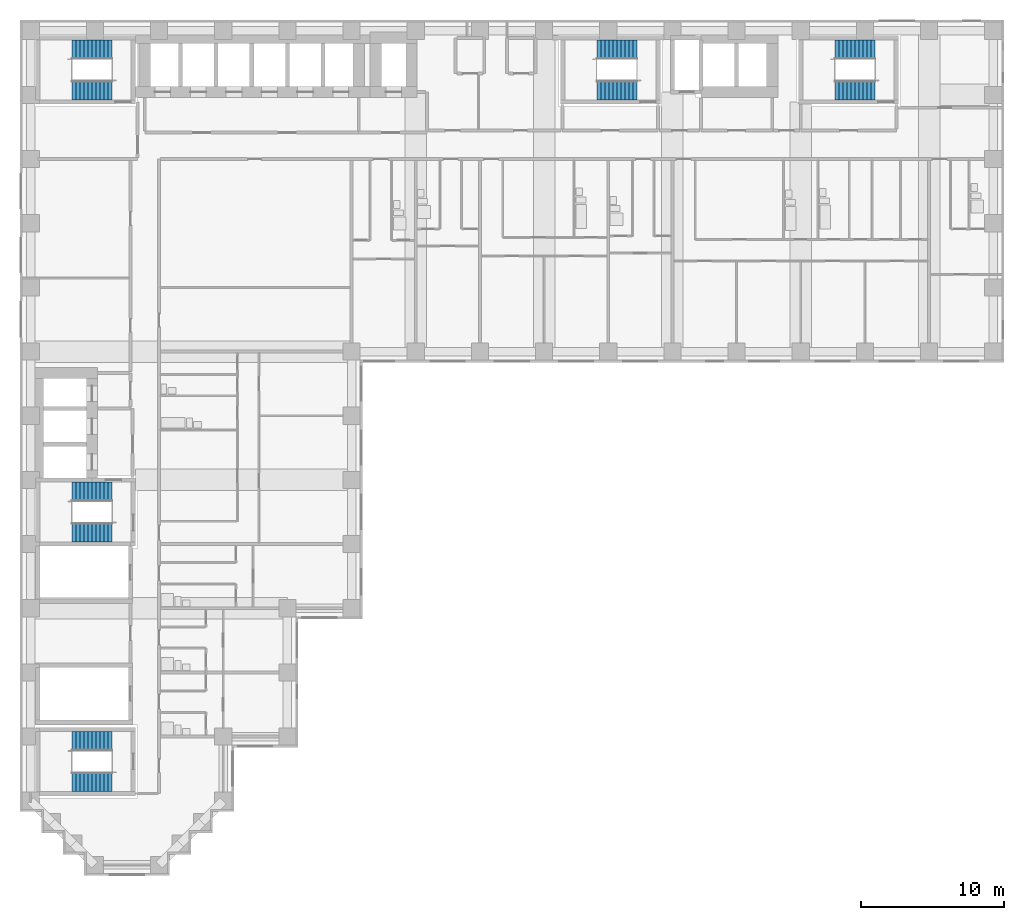
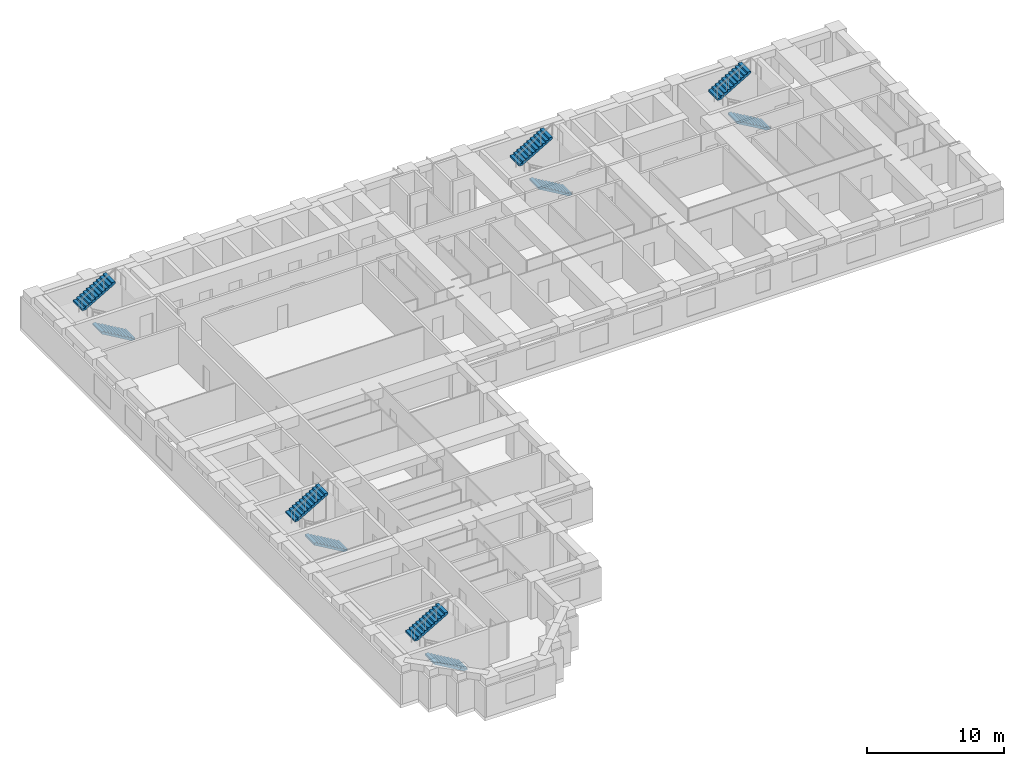
# One storey, part 10 of 12: 10 stair flights, 5 elements without a shape of their own.
"""IFC4 building model written with IfcOpenShell, lengths in metres."""

import ifcopenshell
import ifcopenshell.guid

model = None  # the IFC model being written
_history = None  # IfcOwnerHistory: only IFC2X3 demands one
_inside = {}  # id of a spatial element -> (the spatial element, [elements in it])
_under = {}  # id of a project, library or spatial element -> (it, [spatial elements below it])
_declared = {}  # id of a project -> (the project, [libraries it declares])
_typed = {}  # id of a type object -> (the type object, [elements of that type])
_made_of = {}  # id of a material, layer set ... -> (it, [elements and type objects made of it])


def new_model(schema):
    """Start an empty IFC model of exactly this schema.

    Asked for "IFC4X3", IfcOpenShell would pick the latest addendum, in which some entities
    have other attributes; the version numbers below select the first issue.
    IFC2X3 requires an IfcOwnerHistory on every rooted entity: one is made here for all.
    """
    global model, _history
    if schema == "IFC4X3":
        model = ifcopenshell.file(schema_version=(4, 3, 0, 0))
    else:
        model = ifcopenshell.file(schema=schema)
    _inside.clear()
    _under.clear()
    _declared.clear()
    _typed.clear()
    _made_of.clear()
    _history = None
    if model.schema == "IFC2X3":
        org = make("IfcOrganization", Name="unknown")
        user = make(
            "IfcPersonAndOrganization",
            ThePerson=make("IfcPerson", FamilyName="unknown"),
            TheOrganization=org,
        )
        app = make(
            "IfcApplication",
            ApplicationDeveloper=org,
            Version="unknown",
            ApplicationFullName="unknown",
            ApplicationIdentifier="unknown",
        )
        _history = make(
            "IfcOwnerHistory",
            OwningUser=user,
            OwningApplication=app,
            ChangeAction="ADDED",
            CreationDate=0,
        )
    return model


def make(cls, **values):
    """One entity of the class cls with the attributes given. An attribute that is None is left unset."""
    return model.create_entity(
        cls, **{name: value for name, value in values.items() if value is not None}
    )


def rooted(cls, **values):
    """An entity with a GlobalId (a new one), such as an element, a storey or a relation."""
    return make(cls, GlobalId=ifcopenshell.guid.new(), OwnerHistory=_history, **values)


def si_unit(unit_type, name, prefix=None):
    """IfcSIUnit, for example si_unit("LENGTHUNIT", "METRE", prefix="MILLI")."""
    return make("IfcSIUnit", UnitType=unit_type, Prefix=prefix, Name=name)


def assignment(units):
    """IfcUnitAssignment: the units of a project."""
    return None if units is None else make("IfcUnitAssignment", Units=units)


def point(xyz):
    """IfcCartesianPoint."""
    return None if xyz is None else make("IfcCartesianPoint", Coordinates=xyz)


def direction(xyz):
    """IfcDirection."""
    return None if xyz is None else make("IfcDirection", DirectionRatios=xyz)


def frame(location, z_axis=None, x_axis=None):
    """IfcAxis2Placement3D, a coordinate frame: its origin and axes. An axis left out is left unset."""
    return make(
        "IfcAxis2Placement3D",
        Location=point(location),
        Axis=direction(z_axis),
        RefDirection=direction(x_axis),
    )


def origin():
    """The frame at (0, 0, 0) with its axes left unset."""
    return frame((0.0, 0.0, 0.0))


def place(relative_to, where):
    """IfcLocalPlacement: puts the frame where relative to a parent placement (None: the world)."""
    return make(
        "IfcLocalPlacement", PlacementRelTo=relative_to, RelativePlacement=where
    )


def context(
    kind, dimensions, precision=None, world=None, true_north=None, identifier=None
):
    """IfcGeometricRepresentationContext, for example the 3D "Model" context."""
    return make(
        "IfcGeometricRepresentationContext",
        ContextIdentifier=identifier,
        ContextType=kind,
        CoordinateSpaceDimension=dimensions,
        Precision=precision,
        WorldCoordinateSystem=world,
        TrueNorth=true_north,
    )


def subcontext(parent, identifier, kind, view, scale=None):
    """IfcGeometricRepresentationSubContext, for example "Body" below "Model"."""
    return make(
        "IfcGeometricRepresentationSubContext",
        ContextIdentifier=identifier,
        ContextType=kind,
        ParentContext=parent,
        TargetScale=scale,
        TargetView=view,
    )


def project(units=None, contexts=None):
    """IfcProject with its units and contexts."""
    return rooted(
        "IfcProject",
        Name="project",
        RepresentationContexts=contexts,
        UnitsInContext=assignment(units),
    )


def spatial(cls, under=None, at=None, **own):
    """A site, building, storey or space (cls), placed at a placement, below another one or the project."""
    s = rooted(cls, ObjectPlacement=at, **own)
    if under is not None:
        _under.setdefault(under.id(), (under, []))[1].append(s)
    return s


def polyline(points):
    """IfcPolyline through the points."""
    return make("IfcPolyline", Points=[point(p) for p in points])


def outline(outer, holes=None, kind="AREA"):
    """IfcArbitraryClosedProfileDef: a profile drawn as a closed curve; with holes, ...WithVoids."""
    if holes is None:
        return make("IfcArbitraryClosedProfileDef", ProfileType=kind, OuterCurve=outer)
    return make(
        "IfcArbitraryProfileDefWithVoids",
        ProfileType=kind,
        OuterCurve=outer,
        InnerCurves=holes,
    )


def extrude(swept, where, along, depth):
    """IfcExtrudedAreaSolid: the profile swept, set in the frame where, extruded along a direction by depth."""
    return make(
        "IfcExtrudedAreaSolid",
        SweptArea=swept,
        Position=where,
        ExtrudedDirection=direction(along),
        Depth=depth,
    )


def shape(context_of_items, identifier, shape_type, items):
    """IfcShapeRepresentation: the items that make up one representation, for example the "Body"."""
    return make(
        "IfcShapeRepresentation",
        ContextOfItems=context_of_items,
        RepresentationIdentifier=identifier,
        RepresentationType=shape_type,
        Items=items,
    )


def material(Name=None, Category=None):
    """IfcMaterial."""
    return make("IfcMaterial", Name=Name, Category=Category)


def made_of(thing, what):
    """Note that an element or type object is made of a material, layer set ...; save() writes the relation."""
    if what is not None:
        _made_of.setdefault(what.id(), (what, []))[1].append(thing)
    return thing


def type_object(cls, material=None, **own):
    """A type object (cls), such as IfcWallType, which elements share."""
    return made_of(rooted(cls, **own), material)


def element(
    cls,
    number,
    at=None,
    inside=None,
    cuts=None,
    type_object=None,
    material=None,
    context=None,
    identifier="Body",
    shape_type=None,
    held_by="IfcProductDefinitionShape",
    body=None,
    shapes=None,
    **own,
):
    """One element of the class cls, such as IfcWall. Its Tag is "e" and its number.

    at: its placement. inside: the storey or other place that contains it. cuts: it is an
    opening in that element (IfcRelVoidsElement). A single representation is given by context,
    identifier, shape_type and body (its items); several are given by shapes. held_by: the class
    of the entity that holds the representations. save() writes the other relations.
    """
    e = rooted(cls, Tag="e%d" % number, ObjectPlacement=at, **own)
    if body is not None:
        shapes = [shape(context, identifier, shape_type, body)]
    if shapes is not None:
        e.Representation = make(held_by, Representations=shapes)
    if inside is not None:
        _inside.setdefault(inside.id(), (inside, []))[1].append(e)
    if cuts is not None:
        rooted(
            "IfcRelVoidsElement", RelatingBuildingElement=cuts, RelatedOpeningElement=e
        )
    if type_object is not None:
        _typed.setdefault(type_object.id(), (type_object, []))[1].append(e)
    return made_of(e, material)


def aggregate(whole, parts):
    """IfcRelAggregates: a whole, such as a stair, and the parts it consists of."""
    return rooted("IfcRelAggregates", RelatingObject=whole, RelatedObjects=parts)


def save(model, path):
    """Write the relations noted so far, then the file.

    IfcRelAggregates (storeys below a building ...), IfcRelContainedInSpatialStructure (elements
    in a storey), IfcRelDefinesByType, IfcRelAssociatesMaterial and IfcRelDeclares: one each for
    every whole, place, type object, material and project.
    """
    for whole, parts in _under.values():
        aggregate(whole, parts)
    for where, things in _inside.values():
        rooted(
            "IfcRelContainedInSpatialStructure",
            RelatedElements=things,
            RelatingStructure=where,
        )
    for kind, things in _typed.values():
        rooted("IfcRelDefinesByType", RelatedObjects=things, RelatingType=kind)
    for what, things in _made_of.values():
        rooted("IfcRelAssociatesMaterial", RelatedObjects=things, RelatingMaterial=what)
    for by, libraries in _declared.values():
        rooted("IfcRelDeclares", RelatingContext=by, RelatedDefinitions=libraries)
    model.write(path)


model = new_model("IFC4")

# Units and contexts
model_context = context("Model", 3, precision=1e-05, world=origin(), true_north=direction((0.0, 1.0)))
body_context = subcontext(model_context, "Body", "Model", "MODEL_VIEW")
ifc_project = project(units=[si_unit("LENGTHUNIT", "METRE"), si_unit("AREAUNIT", "SQUARE_METRE"), si_unit("VOLUMEUNIT", "CUBIC_METRE"), si_unit("PLANEANGLEUNIT", "RADIAN"), si_unit("MASSUNIT", "GRAM", prefix="KILO")], contexts=[model_context])

# Site, building, storey
site_placement = place(None, origin())
site = spatial("IfcSite", under=ifc_project, at=site_placement, CompositionType="ELEMENT")
building_placement = place(site_placement, origin())
building = spatial("IfcBuilding", under=site, at=building_placement, Name="Firuza Court", CompositionType="ELEMENT")
storey_placement = place(building_placement, frame((0.0, 0.0, 43.39990234375)))
storey = spatial("IfcBuildingStorey", under=building, at=storey_placement, Name="L09", CompositionType="ELEMENT", Elevation=43.39990234375)

# Stair, stair flights
ifc_material_1 = material(Name="Concrete C40/50 precast", Category="concrete")
stair_type = type_object("IfcStairType", Name="Stair 1350 x 3600 2 flights", PredefinedType="HALF_TURN_STAIR", material=ifc_material_1)
stair_1_placement = place(storey_placement, origin())
stair_1 = element("IfcStair", 1, at=stair_1_placement, inside=storey, type_object=stair_type, Name="Stair 1 L09", PredefinedType="HALF_TURN_STAIR")
ifc_material_2 = material(Name="Concrete C40/50 precast", Category="concrete")
stair_flight_type = type_object("IfcStairFlightType", Name="Flight 1350 riser 163.6", PredefinedType="STRAIGHT", material=ifc_material_2)
stair_flight_1_placement = place(storey_placement, frame((42.5, 54.324951171875, 0.0), z_axis=(0.0, 0.0, 1.0), x_axis=(-1.0, 0.0, 0.0)))
stair_flight_1 = element("IfcStairFlight", 2, at=stair_flight_1_placement, type_object=stair_flight_type, Name="S1 flight 1", NumberOfRisers=11, NumberOfTreads=10, PredefinedType="STRAIGHT", RiserHeight=0.163636364, TreadLength=0.28, context=body_context, shape_type="SweptSolid", body=[
    extrude(outline(polyline([(0.0, 0.0), (0.0, 0.16357421875), (0.280029296875, 0.16357421875), (0.280029296875, 0.327392578125), (0.56005859375, 0.327392578125), (0.56005859375, 0.490966796875), (0.840087890625, 0.490966796875), (0.840087890625, 0.654541015625), (1.1201171875, 0.654541015625), (1.1201171875, 0.818115234375), (1.39990234375, 0.818115234375), (1.39990234375, 0.98193359375), (1.679931640625, 0.98193359375), (1.679931640625, 1.1455078125), (1.9599609375, 1.1455078125), (1.9599609375, 1.30908203125), (2.239990234375, 1.30908203125), (2.239990234375, 1.47265625), (2.52001953125, 1.47265625), (2.52001953125, 1.636474609375), (2.800048828125, 1.636474609375), (2.800048828125, 1.800048828125), (2.800048828125, 1.462646484375), (0.297119140625, 0.0), (0.0, 0.0)])), frame((0.0, 0.675048828125, 0.0), z_axis=(0.0, -1.0, 0.0), x_axis=(1.0, 0.0, 0.0)), (0.0, 0.0, 1.0), 1.35009765625),
])
stair_flight_2_placement = place(storey_placement, frame((39.699951171875, 57.175048828125, 1.800048828125), z_axis=(0.0, 0.0, 1.0), x_axis=(1.0, 0.0, 0.0)))
stair_flight_2 = element("IfcStairFlight", 3, at=stair_flight_2_placement, type_object=stair_flight_type, Name="S1 flight 2", NumberOfRisers=11, NumberOfTreads=10, PredefinedType="STRAIGHT", RiserHeight=0.163636364, TreadLength=0.28, context=body_context, shape_type="SweptSolid", body=[
    extrude(outline(polyline([(0.0, 0.0), (0.0, 0.16357421875), (0.280029296875, 0.16357421875), (0.280029296875, 0.327392578125), (0.56005859375, 0.327392578125), (0.56005859375, 0.490966796875), (0.840087890625, 0.490966796875), (0.840087890625, 0.654541015625), (1.1201171875, 0.654541015625), (1.1201171875, 0.818115234375), (1.39990234375, 0.818115234375), (1.39990234375, 0.98193359375), (1.679931640625, 0.98193359375), (1.679931640625, 1.1455078125), (1.9599609375, 1.1455078125), (1.9599609375, 1.30908203125), (2.239990234375, 1.30908203125), (2.239990234375, 1.47265625), (2.52001953125, 1.47265625), (2.52001953125, 1.636474609375), (2.800048828125, 1.636474609375), (2.800048828125, 1.800048828125), (2.800048828125, 1.462646484375), (0.297119140625, 0.0), (0.0, 0.0)])), frame((0.0, 0.675048828125, 0.0), z_axis=(0.0, -1.0, 0.0), x_axis=(1.0, 0.0, 0.0)), (0.0, 0.0, 1.0), 1.35009765625),
])
aggregate(stair_1, [stair_flight_1, stair_flight_2])

stair_2_placement = place(storey_placement, origin())
stair_2 = element("IfcStair", 4, at=stair_2_placement, inside=storey, type_object=stair_type, Name="Stair 2 L09", PredefinedType="HALF_TURN_STAIR")
stair_flight_3_placement = place(storey_placement, frame((5.699951171875, 23.324951171875, 0.0), z_axis=(0.0, 0.0, 1.0), x_axis=(-1.0, 0.0, 0.0)))
stair_flight_3 = element("IfcStairFlight", 5, at=stair_flight_3_placement, type_object=stair_flight_type, Name="S2 flight 1", NumberOfRisers=11, NumberOfTreads=10, PredefinedType="STRAIGHT", RiserHeight=0.163636364, TreadLength=0.28, context=body_context, shape_type="SweptSolid", body=[
    extrude(outline(polyline([(0.0, 0.0), (0.0, 0.16357421875), (0.280029296875, 0.16357421875), (0.280029296875, 0.327392578125), (0.56005859375, 0.327392578125), (0.56005859375, 0.490966796875), (0.840087890625, 0.490966796875), (0.840087890625, 0.654541015625), (1.1201171875, 0.654541015625), (1.1201171875, 0.818115234375), (1.39990234375, 0.818115234375), (1.39990234375, 0.98193359375), (1.679931640625, 0.98193359375), (1.679931640625, 1.1455078125), (1.9599609375, 1.1455078125), (1.9599609375, 1.30908203125), (2.239990234375, 1.30908203125), (2.239990234375, 1.47265625), (2.52001953125, 1.47265625), (2.52001953125, 1.636474609375), (2.800048828125, 1.636474609375), (2.800048828125, 1.800048828125), (2.800048828125, 1.462646484375), (0.297119140625, 0.0), (0.0, 0.0)])), frame((0.0, 0.675048828125, 0.0), z_axis=(0.0, -1.0, 0.0), x_axis=(1.0, 0.0, 0.0)), (0.0, 0.0, 1.0), 1.35009765625),
])
stair_flight_4_placement = place(storey_placement, frame((2.89990234375, 26.175048828125, 1.800048828125), z_axis=(0.0, 0.0, 1.0), x_axis=(1.0, 0.0, 0.0)))
stair_flight_4 = element("IfcStairFlight", 6, at=stair_flight_4_placement, type_object=stair_flight_type, Name="S2 flight 2", NumberOfRisers=11, NumberOfTreads=10, PredefinedType="STRAIGHT", RiserHeight=0.163636364, TreadLength=0.28, context=body_context, shape_type="SweptSolid", body=[
    extrude(outline(polyline([(0.0, 0.0), (0.0, 0.16357421875), (0.280029296875, 0.16357421875), (0.280029296875, 0.327392578125), (0.56005859375, 0.327392578125), (0.56005859375, 0.490966796875), (0.840087890625, 0.490966796875), (0.840087890625, 0.654541015625), (1.1201171875, 0.654541015625), (1.1201171875, 0.818115234375), (1.39990234375, 0.818115234375), (1.39990234375, 0.98193359375), (1.679931640625, 0.98193359375), (1.679931640625, 1.1455078125), (1.9599609375, 1.1455078125), (1.9599609375, 1.30908203125), (2.239990234375, 1.30908203125), (2.239990234375, 1.47265625), (2.52001953125, 1.47265625), (2.52001953125, 1.636474609375), (2.800048828125, 1.636474609375), (2.800048828125, 1.800048828125), (2.800048828125, 1.462646484375), (0.297119140625, 0.0), (0.0, 0.0)])), frame((0.0, 0.675048828125, 0.0), z_axis=(0.0, -1.0, 0.0), x_axis=(1.0, 0.0, 0.0)), (0.0, 0.0, 1.0), 1.35009765625),
])
aggregate(stair_2, [stair_flight_3, stair_flight_4])

stair_3_placement = place(storey_placement, origin())
stair_3 = element("IfcStair", 7, at=stair_3_placement, inside=storey, type_object=stair_type, Name="Stair 3 L09", PredefinedType="HALF_TURN_STAIR")
stair_flight_5_placement = place(storey_placement, frame((5.699951171875, 54.324951171875, 0.0), z_axis=(0.0, 0.0, 1.0), x_axis=(-1.0, 0.0, 0.0)))
stair_flight_5 = element("IfcStairFlight", 8, at=stair_flight_5_placement, type_object=stair_flight_type, Name="S3 flight 1", NumberOfRisers=11, NumberOfTreads=10, PredefinedType="STRAIGHT", RiserHeight=0.163636364, TreadLength=0.28, context=body_context, shape_type="SweptSolid", body=[
    extrude(outline(polyline([(0.0, 0.0), (0.0, 0.16357421875), (0.280029296875, 0.16357421875), (0.280029296875, 0.327392578125), (0.56005859375, 0.327392578125), (0.56005859375, 0.490966796875), (0.840087890625, 0.490966796875), (0.840087890625, 0.654541015625), (1.1201171875, 0.654541015625), (1.1201171875, 0.818115234375), (1.39990234375, 0.818115234375), (1.39990234375, 0.98193359375), (1.679931640625, 0.98193359375), (1.679931640625, 1.1455078125), (1.9599609375, 1.1455078125), (1.9599609375, 1.30908203125), (2.239990234375, 1.30908203125), (2.239990234375, 1.47265625), (2.52001953125, 1.47265625), (2.52001953125, 1.636474609375), (2.800048828125, 1.636474609375), (2.800048828125, 1.800048828125), (2.800048828125, 1.462646484375), (0.297119140625, 0.0), (0.0, 0.0)])), frame((0.0, 0.675048828125, 0.0), z_axis=(0.0, -1.0, 0.0), x_axis=(1.0, 0.0, 0.0)), (0.0, 0.0, 1.0), 1.35009765625),
])
stair_flight_6_placement = place(storey_placement, frame((2.89990234375, 57.175048828125, 1.800048828125), z_axis=(0.0, 0.0, 1.0), x_axis=(1.0, 0.0, 0.0)))
stair_flight_6 = element("IfcStairFlight", 9, at=stair_flight_6_placement, type_object=stair_flight_type, Name="S3 flight 2", NumberOfRisers=11, NumberOfTreads=10, PredefinedType="STRAIGHT", RiserHeight=0.163636364, TreadLength=0.28, context=body_context, shape_type="SweptSolid", body=[
    extrude(outline(polyline([(0.0, 0.0), (0.0, 0.16357421875), (0.280029296875, 0.16357421875), (0.280029296875, 0.327392578125), (0.56005859375, 0.327392578125), (0.56005859375, 0.490966796875), (0.840087890625, 0.490966796875), (0.840087890625, 0.654541015625), (1.1201171875, 0.654541015625), (1.1201171875, 0.818115234375), (1.39990234375, 0.818115234375), (1.39990234375, 0.98193359375), (1.679931640625, 0.98193359375), (1.679931640625, 1.1455078125), (1.9599609375, 1.1455078125), (1.9599609375, 1.30908203125), (2.239990234375, 1.30908203125), (2.239990234375, 1.47265625), (2.52001953125, 1.47265625), (2.52001953125, 1.636474609375), (2.800048828125, 1.636474609375), (2.800048828125, 1.800048828125), (2.800048828125, 1.462646484375), (0.297119140625, 0.0), (0.0, 0.0)])), frame((0.0, 0.675048828125, 0.0), z_axis=(0.0, -1.0, 0.0), x_axis=(1.0, 0.0, 0.0)), (0.0, 0.0, 1.0), 1.35009765625),
])
aggregate(stair_3, [stair_flight_5, stair_flight_6])

stair_4_placement = place(storey_placement, origin())
stair_4 = element("IfcStair", 10, at=stair_4_placement, inside=storey, type_object=stair_type, Name="Stair 4 L09", PredefinedType="HALF_TURN_STAIR")
stair_flight_7_placement = place(storey_placement, frame((59.199951171875, 54.324951171875, 0.0), z_axis=(0.0, 0.0, 1.0), x_axis=(-1.0, 0.0, 0.0)))
stair_flight_7 = element("IfcStairFlight", 11, at=stair_flight_7_placement, type_object=stair_flight_type, Name="S4 flight 1", NumberOfRisers=11, NumberOfTreads=10, PredefinedType="STRAIGHT", RiserHeight=0.163636364, TreadLength=0.28, context=body_context, shape_type="SweptSolid", body=[
    extrude(outline(polyline([(0.0, 0.0), (0.0, 0.16357421875), (0.280029296875, 0.16357421875), (0.280029296875, 0.327392578125), (0.56005859375, 0.327392578125), (0.56005859375, 0.490966796875), (0.840087890625, 0.490966796875), (0.840087890625, 0.654541015625), (1.1201171875, 0.654541015625), (1.1201171875, 0.818115234375), (1.39990234375, 0.818115234375), (1.39990234375, 0.98193359375), (1.679931640625, 0.98193359375), (1.679931640625, 1.1455078125), (1.9599609375, 1.1455078125), (1.9599609375, 1.30908203125), (2.239990234375, 1.30908203125), (2.239990234375, 1.47265625), (2.52001953125, 1.47265625), (2.52001953125, 1.636474609375), (2.800048828125, 1.636474609375), (2.800048828125, 1.800048828125), (2.800048828125, 1.462646484375), (0.297119140625, 0.0), (0.0, 0.0)])), frame((0.0, 0.675048828125, 0.0), z_axis=(0.0, -1.0, 0.0), x_axis=(1.0, 0.0, 0.0)), (0.0, 0.0, 1.0), 1.35009765625),
])
stair_flight_8_placement = place(storey_placement, frame((56.39990234375, 57.175048828125, 1.800048828125), z_axis=(0.0, 0.0, 1.0), x_axis=(1.0, 0.0, 0.0)))
stair_flight_8 = element("IfcStairFlight", 12, at=stair_flight_8_placement, type_object=stair_flight_type, Name="S4 flight 2", NumberOfRisers=11, NumberOfTreads=10, PredefinedType="STRAIGHT", RiserHeight=0.163636364, TreadLength=0.28, context=body_context, shape_type="SweptSolid", body=[
    extrude(outline(polyline([(0.0, 0.0), (0.0, 0.16357421875), (0.280029296875, 0.16357421875), (0.280029296875, 0.327392578125), (0.56005859375, 0.327392578125), (0.56005859375, 0.490966796875), (0.840087890625, 0.490966796875), (0.840087890625, 0.654541015625), (1.1201171875, 0.654541015625), (1.1201171875, 0.818115234375), (1.39990234375, 0.818115234375), (1.39990234375, 0.98193359375), (1.679931640625, 0.98193359375), (1.679931640625, 1.1455078125), (1.9599609375, 1.1455078125), (1.9599609375, 1.30908203125), (2.239990234375, 1.30908203125), (2.239990234375, 1.47265625), (2.52001953125, 1.47265625), (2.52001953125, 1.636474609375), (2.800048828125, 1.636474609375), (2.800048828125, 1.800048828125), (2.800048828125, 1.462646484375), (0.297119140625, 0.0), (0.0, 0.0)])), frame((0.0, 0.675048828125, 0.0), z_axis=(0.0, -1.0, 0.0), x_axis=(1.0, 0.0, 0.0)), (0.0, 0.0, 1.0), 1.35009765625),
])
aggregate(stair_4, [stair_flight_7, stair_flight_8])

stair_5_placement = place(storey_placement, origin())
stair_5 = element("IfcStair", 13, at=stair_5_placement, inside=storey, type_object=stair_type, Name="Stair 5 L09", PredefinedType="HALF_TURN_STAIR")
stair_flight_9_placement = place(storey_placement, frame((5.699951171875, 5.824951171875, 0.0), z_axis=(0.0, 0.0, 1.0), x_axis=(-1.0, 0.0, 0.0)))
stair_flight_9 = element("IfcStairFlight", 14, at=stair_flight_9_placement, type_object=stair_flight_type, Name="S5 flight 1", NumberOfRisers=11, NumberOfTreads=10, PredefinedType="STRAIGHT", RiserHeight=0.163636364, TreadLength=0.28, context=body_context, shape_type="SweptSolid", body=[
    extrude(outline(polyline([(0.0, 0.0), (0.0, 0.16357421875), (0.280029296875, 0.16357421875), (0.280029296875, 0.327392578125), (0.56005859375, 0.327392578125), (0.56005859375, 0.490966796875), (0.840087890625, 0.490966796875), (0.840087890625, 0.654541015625), (1.1201171875, 0.654541015625), (1.1201171875, 0.818115234375), (1.39990234375, 0.818115234375), (1.39990234375, 0.98193359375), (1.679931640625, 0.98193359375), (1.679931640625, 1.1455078125), (1.9599609375, 1.1455078125), (1.9599609375, 1.30908203125), (2.239990234375, 1.30908203125), (2.239990234375, 1.47265625), (2.52001953125, 1.47265625), (2.52001953125, 1.636474609375), (2.800048828125, 1.636474609375), (2.800048828125, 1.800048828125), (2.800048828125, 1.462646484375), (0.297119140625, 0.0), (0.0, 0.0)])), frame((0.0, 0.675048828125, 0.0), z_axis=(0.0, -1.0, 0.0), x_axis=(1.0, 0.0, 0.0)), (0.0, 0.0, 1.0), 1.35009765625),
])
stair_flight_10_placement = place(storey_placement, frame((2.89990234375, 8.675048828125, 1.800048828125), z_axis=(0.0, 0.0, 1.0), x_axis=(1.0, 0.0, 0.0)))
stair_flight_10 = element("IfcStairFlight", 15, at=stair_flight_10_placement, type_object=stair_flight_type, Name="S5 flight 2", NumberOfRisers=11, NumberOfTreads=10, PredefinedType="STRAIGHT", RiserHeight=0.163636364, TreadLength=0.28, context=body_context, shape_type="SweptSolid", body=[
    extrude(outline(polyline([(0.0, 0.0), (0.0, 0.16357421875), (0.280029296875, 0.16357421875), (0.280029296875, 0.327392578125), (0.56005859375, 0.327392578125), (0.56005859375, 0.490966796875), (0.840087890625, 0.490966796875), (0.840087890625, 0.654541015625), (1.1201171875, 0.654541015625), (1.1201171875, 0.818115234375), (1.39990234375, 0.818115234375), (1.39990234375, 0.98193359375), (1.679931640625, 0.98193359375), (1.679931640625, 1.1455078125), (1.9599609375, 1.1455078125), (1.9599609375, 1.30908203125), (2.239990234375, 1.30908203125), (2.239990234375, 1.47265625), (2.52001953125, 1.47265625), (2.52001953125, 1.636474609375), (2.800048828125, 1.636474609375), (2.800048828125, 1.800048828125), (2.800048828125, 1.462646484375), (0.297119140625, 0.0), (0.0, 0.0)])), frame((0.0, 0.675048828125, 0.0), z_axis=(0.0, -1.0, 0.0), x_axis=(1.0, 0.0, 0.0)), (0.0, 0.0, 1.0), 1.35009765625),
])
aggregate(stair_5, [stair_flight_9, stair_flight_10])

save(model, "model.ifc")
